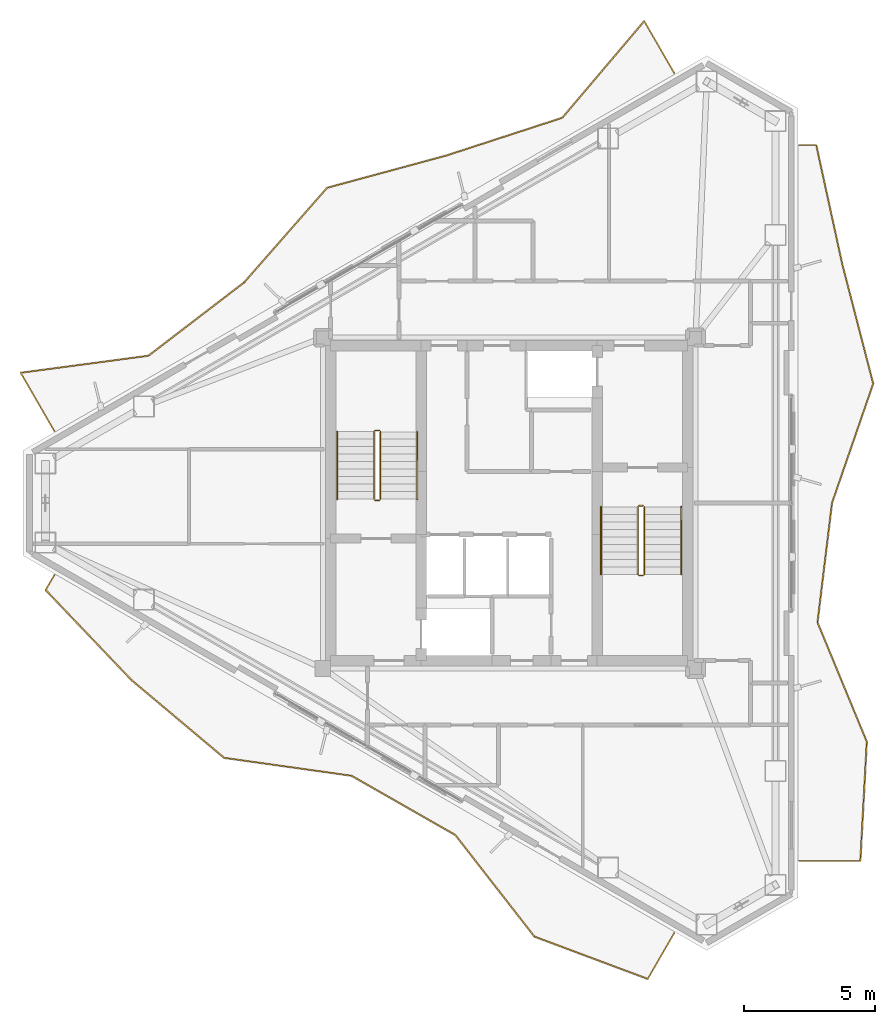
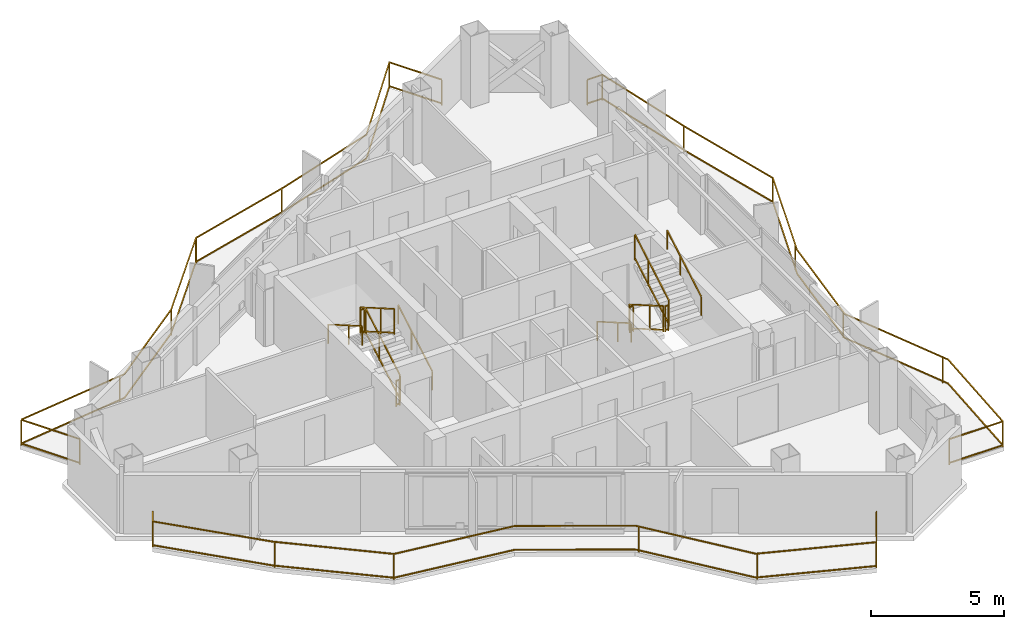
# One storey, part 18 of 18: 15 railings.
"""IFC4 building model written with IfcOpenShell, lengths in metres."""

from ifc_helpers import new_model, si_unit, direction, frame, origin, origin_2d, place, context, subcontext, project, spatial, rectangle, extrude, material, type_object, element, save


model = new_model("IFC4")

# Units and contexts
model_context = context("Model", 3, precision=1e-05, world=origin(), true_north=direction((0.0, 1.0)))
body_context = subcontext(model_context, "Body", "Model", "MODEL_VIEW")
ifc_project = project(units=[si_unit("LENGTHUNIT", "METRE"), si_unit("AREAUNIT", "SQUARE_METRE"), si_unit("VOLUMEUNIT", "CUBIC_METRE"), si_unit("PLANEANGLEUNIT", "RADIAN"), si_unit("MASSUNIT", "GRAM", prefix="KILO")], contexts=[model_context])

# Site, building, storey
site_placement = place(None, origin())
site = spatial("IfcSite", under=ifc_project, at=site_placement, CompositionType="ELEMENT")
building_placement = place(site_placement, origin())
building = spatial("IfcBuilding", under=site, at=building_placement, Name="Mersakhor Tower and Convention Hall", CompositionType="ELEMENT")
storey_placement = place(building_placement, frame((0.0, 0.0, 239.699951171875)))
storey = spatial("IfcBuildingStorey", under=building, at=storey_placement, Name="L67", CompositionType="ELEMENT", Elevation=239.699951171875)

# Railings
ifc_material_1 = material(Name="Powder-coated galvanised steel and laminated glass balustrade", Category="steel")
railing_type_1 = type_object("IfcRailingType", Name="RL-BAL-1200", PredefinedType="BALUSTRADE", material=ifc_material_1)
railing_1_placement = place(storey_placement, frame((35.287841796875, 43.13134765625, 0.0)))
element("IfcRailing", 1, at=railing_1_placement, inside=storey, type_object=railing_type_1, Name="L67 Sinusoidal Balcony Balustrade F1", PredefinedType="BALUSTRADE", context=body_context, shape_type="SweptSolid", body=[
    extrude(rectangle(XDim=0.048095703125, YDim=0.048095703125, at=origin_2d()), frame((0.0, 0.0, 1.17578125), z_axis=(-0.499997459831, 0.866026870347, 0.0), x_axis=(-0.866026870347, -0.499997459831, 0.0)), (0.0, 0.0, 1.0), 2.27978515625),
    extrude(rectangle(XDim=0.048095703125, YDim=0.048095703125, at=origin_2d()), frame((0.0, 0.0, 0.080078125), z_axis=(-0.499997459831, 0.866026870347, 0.0), x_axis=(-0.866026870347, -0.499997459831, 0.0)), (0.0, 0.0, 1.0), 2.27978515625),
    extrude(rectangle(XDim=0.048095703125, YDim=0.048095703125, at=origin_2d()), frame((-1.139892578125, 1.974365234375, 1.17578125), z_axis=(-0.646458850493, -0.762948854524, 0.0), x_axis=(0.762948854524, -0.646458850493, 0.0)), (0.0, 0.0, 1.0), 4.828857421875),
    extrude(rectangle(XDim=0.048095703125, YDim=0.048095703125, at=origin_2d()), frame((-1.139892578125, 1.974365234375, 0.080078125), z_axis=(-0.646458850493, -0.762948854524, 0.0), x_axis=(0.762948854524, -0.646458850493, 0.0)), (0.0, 0.0, 1.0), 4.828857421875),
    extrude(rectangle(XDim=0.048095703125, YDim=0.048095703125, at=origin_2d()), frame((-4.261474609375, -1.709716796875, 1.17578125), z_axis=(-0.9509081144, -0.30947335583, 0.0), x_axis=(0.30947335583, -0.9509081144, 0.0)), (0.0, 0.0, 1.0), 4.646484375),
    extrude(rectangle(XDim=0.048095703125, YDim=0.048095703125, at=origin_2d()), frame((-4.261474609375, -1.709716796875, 0.080078125), z_axis=(-0.9509081144, -0.30947335583, 0.0), x_axis=(0.30947335583, -0.9509081144, 0.0)), (0.0, 0.0, 1.0), 4.646484375),
    extrude(rectangle(XDim=0.048095703125, YDim=0.048095703125, at=origin_2d()), frame((-8.679931640625, -3.147705078125, 1.17578125), z_axis=(-0.965299748762, -0.261144395002, 0.0), x_axis=(0.261144395002, -0.965299748762, 0.0)), (0.0, 0.0, 1.0), 4.702392578125),
    extrude(rectangle(XDim=0.048095703125, YDim=0.048095703125, at=origin_2d()), frame((-8.679931640625, -3.147705078125, 0.080078125), z_axis=(-0.965299748762, -0.261144395002, 0.0), x_axis=(0.261144395002, -0.965299748762, 0.0)), (0.0, 0.0, 1.0), 4.702392578125),
    extrude(rectangle(XDim=0.048095703125, YDim=0.048095703125, at=origin_2d()), frame((-13.21923828125, -4.375732421875, 1.17578125), z_axis=(-0.659332414951, -0.751851558883, 0.0), x_axis=(0.751851558883, -0.659332414951, 0.0)), (0.0, 0.0, 1.0), 4.800048828125),
    extrude(rectangle(XDim=0.048095703125, YDim=0.048095703125, at=origin_2d()), frame((-13.21923828125, -4.375732421875, 0.080078125), z_axis=(-0.659332414951, -0.751851558883, 0.0), x_axis=(0.751851558883, -0.659332414951, 0.0)), (0.0, 0.0, 1.0), 4.800048828125),
    extrude(rectangle(XDim=0.048095703125, YDim=0.048095703125, at=origin_2d()), frame((-16.384033203125, -7.984619140625, 1.17578125), z_axis=(-0.79379061755, -0.60819113401, 0.0), x_axis=(0.60819113401, -0.79379061755, 0.0)), (0.0, 0.0, 1.0), 4.584228515625),
    extrude(rectangle(XDim=0.048095703125, YDim=0.048095703125, at=origin_2d()), frame((-16.384033203125, -7.984619140625, 0.080078125), z_axis=(-0.79379061755, -0.60819113401, 0.0), x_axis=(0.60819113401, -0.79379061755, 0.0)), (0.0, 0.0, 1.0), 4.584228515625),
    extrude(rectangle(XDim=0.048095703125, YDim=0.048095703125, at=origin_2d()), frame((-20.02294921875, -10.772705078125, 1.17578125), z_axis=(-0.991217922945, -0.132238531577, 0.0), x_axis=(0.132238531577, -0.991217922945, 0.0)), (0.0, 0.0, 1.0), 4.91650390625),
    extrude(rectangle(XDim=0.048095703125, YDim=0.048095703125, at=origin_2d()), frame((-20.02294921875, -10.772705078125, 0.080078125), z_axis=(-0.991217922945, -0.132238531577, 0.0), x_axis=(0.132238531577, -0.991217922945, 0.0)), (0.0, 0.0, 1.0), 4.91650390625),
    extrude(rectangle(XDim=0.048095703125, YDim=0.048095703125, at=origin_2d()), frame((-24.896240234375, -11.4228515625, 1.17578125), z_axis=(0.500022914263, -0.866012173824, 0.0), x_axis=(0.866012173824, 0.500022914263, 0.0)), (0.0, 0.0, 1.0), 2.5556640625),
    extrude(rectangle(XDim=0.048095703125, YDim=0.048095703125, at=origin_2d()), frame((-24.896240234375, -11.4228515625, 0.080078125), z_axis=(0.500022914263, -0.866012173824, 0.0), x_axis=(0.866012173824, 0.500022914263, 0.0)), (0.0, 0.0, 1.0), 2.5556640625),
    extrude(rectangle(XDim=0.0419921875, YDim=0.0419921875, at=origin_2d()), origin(), (0.0, 0.0, 1.0), 1.15185546875),
    extrude(rectangle(XDim=0.0419921875, YDim=0.0419921875, at=origin_2d()), frame((-1.139892578125, 1.974365234375, 0.0)), (0.0, 0.0, 1.0), 1.15185546875),
    extrude(rectangle(XDim=0.0419921875, YDim=0.0419921875, at=origin_2d()), frame((-8.80029296875, -3.18017578125, 0.0)), (0.0, 0.0, 1.0), 1.15185546875),
    extrude(rectangle(XDim=0.0419921875, YDim=0.0419921875, at=origin_2d()), frame((-13.21923828125, -4.375732421875, 0.0)), (0.0, 0.0, 1.0), 1.15185546875),
    extrude(rectangle(XDim=0.0419921875, YDim=0.0419921875, at=origin_2d()), frame((-16.384033203125, -7.984619140625, 0.0)), (0.0, 0.0, 1.0), 1.15185546875),
    extrude(rectangle(XDim=0.0419921875, YDim=0.0419921875, at=origin_2d()), frame((-20.23681640625, -10.80126953125, 0.0)), (0.0, 0.0, 1.0), 1.15185546875),
    extrude(rectangle(XDim=0.0419921875, YDim=0.0419921875, at=origin_2d()), frame((-24.896240234375, -11.4228515625, 0.0)), (0.0, 0.0, 1.0), 1.15185546875),
    extrude(rectangle(XDim=0.0419921875, YDim=0.0419921875, at=origin_2d()), frame((-23.618408203125, -13.635986328125, 0.0)), (0.0, 0.0, 1.0), 1.15185546875),
])
railing_2_placement = place(storey_placement, frame((40.042724609375, 13.114013671875, 0.0)))
element("IfcRailing", 2, at=railing_2_placement, inside=storey, type_object=railing_type_1, Name="L67 Sinusoidal Balcony Balustrade F2", PredefinedType="BALUSTRADE", context=body_context, shape_type="SweptSolid", body=[
    extrude(rectangle(XDim=0.048095703125, YDim=0.048095703125, at=origin_2d()), frame((0.0, 0.0, 1.17578125), z_axis=(1.0, 0.0, 0.0), x_axis=(0.0, 1.0, 0.0)), (0.0, 0.0, 1.0), 2.330078125),
    extrude(rectangle(XDim=0.048095703125, YDim=0.048095703125, at=origin_2d()), frame((0.0, 0.0, 0.080078125), z_axis=(1.0, 0.0, 0.0), x_axis=(0.0, 1.0, 0.0)), (0.0, 0.0, 1.0), 2.330078125),
    extrude(rectangle(XDim=0.048095703125, YDim=0.048095703125, at=origin_2d()), frame((2.330078125, 0.0, 1.17578125), z_axis=(0.053957913195, 0.998543210684, 0.0), x_axis=(-0.998543210684, 0.053957913195, 0.0)), (0.0, 0.0, 1.0), 4.5517578125),
    extrude(rectangle(XDim=0.048095703125, YDim=0.048095703125, at=origin_2d()), frame((2.330078125, 0.0, 0.080078125), z_axis=(0.053957913195, 0.998543210684, 0.0), x_axis=(-0.998543210684, 0.053957913195, 0.0)), (0.0, 0.0, 1.0), 4.5517578125),
    extrude(rectangle(XDim=0.048095703125, YDim=0.048095703125, at=origin_2d()), frame((2.57568359375, 4.545166015625, 1.17578125), z_axis=(-0.381843122679, 0.924227152632, 0.0), x_axis=(-0.924227152632, -0.381843122679, 0.0)), (0.0, 0.0, 1.0), 4.91796875),
    extrude(rectangle(XDim=0.048095703125, YDim=0.048095703125, at=origin_2d()), frame((2.57568359375, 4.545166015625, 0.080078125), z_axis=(-0.381843122679, 0.924227152632, 0.0), x_axis=(-0.924227152632, -0.381843122679, 0.0)), (0.0, 0.0, 1.0), 4.91796875),
    extrude(rectangle(XDim=0.048095703125, YDim=0.048095703125, at=origin_2d()), frame((0.69775390625, 9.090576171875, 1.17578125), z_axis=(0.120713516098, 0.992687386356, 0.0), x_axis=(-0.992687386356, 0.120713516098, 0.0)), (0.0, 0.0, 1.0), 4.578857421875),
    extrude(rectangle(XDim=0.048095703125, YDim=0.048095703125, at=origin_2d()), frame((0.69775390625, 9.090576171875, 0.080078125), z_axis=(0.120713516098, 0.992687386356, 0.0), x_axis=(-0.992687386356, 0.120713516098, 0.0)), (0.0, 0.0, 1.0), 4.578857421875),
    extrude(rectangle(XDim=0.048095703125, YDim=0.048095703125, at=origin_2d()), frame((1.25048828125, 13.635986328125, 1.17578125), z_axis=(0.326399023353, 0.945232076029, 0.0), x_axis=(-0.945232076029, 0.326399023353, 0.0)), (0.0, 0.0, 1.0), 4.808837890625),
    extrude(rectangle(XDim=0.048095703125, YDim=0.048095703125, at=origin_2d()), frame((1.25048828125, 13.635986328125, 0.080078125), z_axis=(0.326399023353, 0.945232076029, 0.0), x_axis=(-0.945232076029, 0.326399023353, 0.0)), (0.0, 0.0, 1.0), 4.808837890625),
    extrude(rectangle(XDim=0.048095703125, YDim=0.048095703125, at=origin_2d()), frame((2.820068359375, 18.181396484375, 1.17578125), z_axis=(-0.25077268573, 0.96804600102, 0.0), x_axis=(-0.96804600102, -0.25077268573, 0.0)), (0.0, 0.0, 1.0), 4.695556640625),
    extrude(rectangle(XDim=0.048095703125, YDim=0.048095703125, at=origin_2d()), frame((2.820068359375, 18.181396484375, 0.080078125), z_axis=(-0.25077268573, 0.96804600102, 0.0), x_axis=(-0.96804600102, -0.25077268573, 0.0)), (0.0, 0.0, 1.0), 4.695556640625),
    extrude(rectangle(XDim=0.048095703125, YDim=0.048095703125, at=origin_2d()), frame((1.642578125, 22.726806640625, 1.17578125), z_axis=(-0.213322817224, 0.976981768331, 0.0), x_axis=(-0.976981768331, -0.213322817224, 0.0)), (0.0, 0.0, 1.0), 4.65234375),
    extrude(rectangle(XDim=0.048095703125, YDim=0.048095703125, at=origin_2d()), frame((1.642578125, 22.726806640625, 0.080078125), z_axis=(-0.213322817224, 0.976981768331, 0.0), x_axis=(-0.976981768331, -0.213322817224, 0.0)), (0.0, 0.0, 1.0), 4.65234375),
    extrude(rectangle(XDim=0.048095703125, YDim=0.048095703125, at=origin_2d()), frame((0.650146484375, 27.27197265625, 1.17578125), z_axis=(-1.0, 0.0, 0.0), x_axis=(0.0, -1.0, 0.0)), (0.0, 0.0, 1.0), 0.650146484375),
    extrude(rectangle(XDim=0.048095703125, YDim=0.048095703125, at=origin_2d()), frame((0.650146484375, 27.27197265625, 0.080078125), z_axis=(-1.0, 0.0, 0.0), x_axis=(0.0, -1.0, 0.0)), (0.0, 0.0, 1.0), 0.650146484375),
    extrude(rectangle(XDim=0.0419921875, YDim=0.0419921875, at=origin_2d()), origin(), (0.0, 0.0, 1.0), 1.15185546875),
    extrude(rectangle(XDim=0.0419921875, YDim=0.0419921875, at=origin_2d()), frame((2.330078125, 0.0, 0.0)), (0.0, 0.0, 1.0), 1.15185546875),
    extrude(rectangle(XDim=0.0419921875, YDim=0.0419921875, at=origin_2d()), frame((2.48095703125, 4.774658203125, 0.0)), (0.0, 0.0, 1.0), 1.15185546875),
    extrude(rectangle(XDim=0.0419921875, YDim=0.0419921875, at=origin_2d()), frame((0.71337890625, 9.2197265625, 0.0)), (0.0, 0.0, 1.0), 1.15185546875),
    extrude(rectangle(XDim=0.0419921875, YDim=0.0419921875, at=origin_2d()), frame((1.365234375, 13.968017578125, 0.0)), (0.0, 0.0, 1.0), 1.15185546875),
    extrude(rectangle(XDim=0.0419921875, YDim=0.0419921875, at=origin_2d()), frame((2.820068359375, 18.181396484375, 0.0)), (0.0, 0.0, 1.0), 1.15185546875),
    extrude(rectangle(XDim=0.0419921875, YDim=0.0419921875, at=origin_2d()), frame((1.620361328125, 22.828857421875, 0.0)), (0.0, 0.0, 1.0), 1.15185546875),
    extrude(rectangle(XDim=0.0419921875, YDim=0.0419921875, at=origin_2d()), frame((0.650146484375, 27.27197265625, 0.0)), (0.0, 0.0, 1.0), 1.15185546875),
    extrude(rectangle(XDim=0.0419921875, YDim=0.0419921875, at=origin_2d()), frame((0.0, 27.27197265625, 0.0)), (0.0, 0.0, 1.0), 1.15185546875),
])
railing_3_placement = place(storey_placement, frame((11.66943359375, 24.004638671875, 0.0)))
element("IfcRailing", 3, at=railing_3_placement, inside=storey, type_object=railing_type_1, Name="L67 Sinusoidal Balcony Balustrade F3", PredefinedType="BALUSTRADE", context=body_context, shape_type="SweptSolid", body=[
    extrude(rectangle(XDim=0.048095703125, YDim=0.048095703125, at=origin_2d()), frame((0.0, 0.0, 1.17578125), z_axis=(-0.500058503878, -0.86599162392, 0.0), x_axis=(0.86599162392, -0.500058503878, 0.0)), (0.0, 0.0, 1.0), 0.64990234375),
    extrude(rectangle(XDim=0.048095703125, YDim=0.048095703125, at=origin_2d()), frame((0.0, 0.0, 0.080078125), z_axis=(-0.500058503878, -0.86599162392, 0.0), x_axis=(0.86599162392, -0.500058503878, 0.0)), (0.0, 0.0, 1.0), 0.64990234375),
    extrude(rectangle(XDim=0.048095703125, YDim=0.048095703125, at=origin_2d()), frame((-0.324951171875, -0.562744140625, 1.17578125), z_axis=(0.689922777872, -0.723882974363, 0.0), x_axis=(0.723882974363, 0.689922777872, 0.0)), (0.0, 0.0, 1.0), 4.737548828125),
    extrude(rectangle(XDim=0.048095703125, YDim=0.048095703125, at=origin_2d()), frame((-0.324951171875, -0.562744140625, 0.080078125), z_axis=(0.689922777872, -0.723882974363, 0.0), x_axis=(0.723882974363, 0.689922777872, 0.0)), (0.0, 0.0, 1.0), 4.737548828125),
    extrude(rectangle(XDim=0.048095703125, YDim=0.048095703125, at=origin_2d()), frame((2.943603515625, -3.9921875, 1.17578125), z_axis=(0.765892389455, -0.642968776672, 0.0), x_axis=(0.642968776672, 0.765892389455, 0.0)), (0.0, 0.0, 1.0), 4.61572265625),
    extrude(rectangle(XDim=0.048095703125, YDim=0.048095703125, at=origin_2d()), frame((2.943603515625, -3.9921875, 0.080078125), z_axis=(0.765892389455, -0.642968776672, 0.0), x_axis=(0.642968776672, 0.765892389455, 0.0)), (0.0, 0.0, 1.0), 4.61572265625),
    extrude(rectangle(XDim=0.048095703125, YDim=0.048095703125, at=origin_2d()), frame((6.478759765625, -6.9599609375, 1.17578125), z_axis=(0.990264732426, -0.139196838017, 0.0), x_axis=(0.139196838017, 0.990264732426, 0.0)), (0.0, 0.0, 1.0), 4.902099609375),
    extrude(rectangle(XDim=0.048095703125, YDim=0.048095703125, at=origin_2d()), frame((6.478759765625, -6.9599609375, 0.080078125), z_axis=(0.990264732426, -0.139196838017, 0.0), x_axis=(0.139196838017, 0.990264732426, 0.0)), (0.0, 0.0, 1.0), 4.902099609375),
    extrude(rectangle(XDim=0.048095703125, YDim=0.048095703125, at=origin_2d()), frame((11.333251953125, -7.642333984375, 1.17578125), z_axis=(0.868461209508, -0.495757125596, 0.0), x_axis=(0.495757125596, 0.868461209508, 0.0)), (0.0, 0.0, 1.0), 4.54541015625),
    extrude(rectangle(XDim=0.048095703125, YDim=0.048095703125, at=origin_2d()), frame((11.333251953125, -7.642333984375, 0.080078125), z_axis=(0.868461209508, -0.495757125596, 0.0), x_axis=(0.495757125596, 0.868461209508, 0.0)), (0.0, 0.0, 1.0), 4.54541015625),
    extrude(rectangle(XDim=0.048095703125, YDim=0.048095703125, at=origin_2d()), frame((15.28076171875, -9.895751953125, 1.17578125), z_axis=(0.614243749135, -0.789116351781, 0.0), x_axis=(0.789116351781, 0.614243749135, 0.0)), (0.0, 0.0, 1.0), 4.906005859375),
    extrude(rectangle(XDim=0.048095703125, YDim=0.048095703125, at=origin_2d()), frame((15.28076171875, -9.895751953125, 0.080078125), z_axis=(0.614243749135, -0.789116351781, 0.0), x_axis=(0.789116351781, 0.614243749135, 0.0)), (0.0, 0.0, 1.0), 4.906005859375),
    extrude(rectangle(XDim=0.048095703125, YDim=0.048095703125, at=origin_2d()), frame((18.294189453125, -13.76708984375, 1.17578125), z_axis=(0.936796379301, -0.349875040163, 0.0), x_axis=(0.349875040163, 0.936796379301, 0.0)), (0.0, 0.0, 1.0), 4.60888671875),
    extrude(rectangle(XDim=0.048095703125, YDim=0.048095703125, at=origin_2d()), frame((18.294189453125, -13.76708984375, 0.080078125), z_axis=(0.936796379301, -0.349875040163, 0.0), x_axis=(0.349875040163, 0.936796379301, 0.0)), (0.0, 0.0, 1.0), 4.60888671875),
    extrude(rectangle(XDim=0.048095703125, YDim=0.048095703125, at=origin_2d()), frame((22.61181640625, -15.379638671875, 1.17578125), z_axis=(0.499960381356, 0.866048276411, 0.0), x_axis=(-0.866048276411, 0.499960381356, 0.0)), (0.0, 0.0, 1.0), 2.013427734375),
    extrude(rectangle(XDim=0.048095703125, YDim=0.048095703125, at=origin_2d()), frame((22.61181640625, -15.379638671875, 0.080078125), z_axis=(0.499960381356, 0.866048276411, 0.0), x_axis=(-0.866048276411, 0.499960381356, 0.0)), (0.0, 0.0, 1.0), 2.013427734375),
    extrude(rectangle(XDim=0.0419921875, YDim=0.0419921875, at=origin_2d()), origin(), (0.0, 0.0, 1.0), 1.15185546875),
    extrude(rectangle(XDim=0.0419921875, YDim=0.0419921875, at=origin_2d()), frame((-0.324951171875, -0.562744140625, 0.0)), (0.0, 0.0, 1.0), 1.15185546875),
    extrude(rectangle(XDim=0.0419921875, YDim=0.0419921875, at=origin_2d()), frame((2.991455078125, -4.0322265625, 0.0)), (0.0, 0.0, 1.0), 1.15185546875),
    extrude(rectangle(XDim=0.0419921875, YDim=0.0419921875, at=origin_2d()), frame((6.478759765625, -6.9599609375, 0.0)), (0.0, 0.0, 1.0), 1.15185546875),
    extrude(rectangle(XDim=0.0419921875, YDim=0.0419921875, at=origin_2d()), frame((15.374267578125, -10.01611328125, 0.0)), (0.0, 0.0, 1.0), 1.15185546875),
    extrude(rectangle(XDim=0.0419921875, YDim=0.0419921875, at=origin_2d()), frame((18.337646484375, -13.783447265625, 0.0)), (0.0, 0.0, 1.0), 1.15185546875),
    extrude(rectangle(XDim=0.0419921875, YDim=0.0419921875, at=origin_2d()), frame((22.61181640625, -15.379638671875, 0.0)), (0.0, 0.0, 1.0), 1.15185546875),
    extrude(rectangle(XDim=0.0419921875, YDim=0.0419921875, at=origin_2d()), frame((23.618408203125, -13.635986328125, 0.0)), (0.0, 0.0, 1.0), 1.15185546875),
])
ifc_material_2 = material(Name="Brushed stainless steel handrail", Category="steel")
railing_type_2 = type_object("IfcRailingType", Name="RL-HR-900", PredefinedType="HANDRAIL", material=ifc_material_2)
railing_4_placement = place(storey_placement, frame((25.5, 26.89990234375, 0.1650390625)))
element("IfcRailing", 4, at=railing_4_placement, inside=storey, type_object=railing_type_2, Name="L67 ST-1 stair handrail 1", PredefinedType="HANDRAIL", context=body_context, shape_type="SweptSolid", body=[
    extrude(rectangle(XDim=0.048095703125, YDim=0.048095703125, at=origin_2d()), frame((0.0, 0.0, 0.8759765625), z_axis=(0.0, 0.865426285481, 0.501036270542), x_axis=(-1.0, 0.0, 0.0)), (0.0, 0.0, 1.0), 2.964111328125),
    extrude(rectangle(XDim=0.0419921875, YDim=0.0419921875, at=origin_2d()), origin(), (0.0, 0.0, 1.0), 0.851806640625),
    extrude(rectangle(XDim=0.0419921875, YDim=0.0419921875, at=origin_2d()), frame((0.0, 1.557861328125, 0.90185546875)), (0.0, 0.0, 1.0), 0.851806640625),
    extrude(rectangle(XDim=0.0419921875, YDim=0.0419921875, at=origin_2d()), frame((0.0, 2.565185546875, 1.485107421875)), (0.0, 0.0, 1.0), 0.851806640625),
])
for number, where, name in (
    (5, (22.449951171875, 29.465087890625, 1.81494140625), "L67 ST-1 stair handrail 2"),
    (6, (32.5, 26.60009765625, 0.1650390625), "L67 ST-2 stair handrail 1"),
):
    element("IfcRailing", number, at=place(storey_placement, frame(where)), inside=storey, type_object=railing_type_2, Name=name, PredefinedType="HANDRAIL", context=body_context, shape_type="SweptSolid", body=[
        extrude(rectangle(XDim=0.048095703125, YDim=0.048095703125, at=origin_2d()), frame((0.0, 0.0, 0.8759765625), z_axis=(0.0, -0.865426285481, 0.501036270542), x_axis=(1.0, 0.0, 0.0)), (0.0, 0.0, 1.0), 2.964111328125),
        extrude(rectangle(XDim=0.0419921875, YDim=0.0419921875, at=origin_2d()), origin(), (0.0, 0.0, 1.0), 0.851806640625),
        extrude(rectangle(XDim=0.0419921875, YDim=0.0419921875, at=origin_2d()), frame((0.0, -1.557861328125, 0.90185546875)), (0.0, 0.0, 1.0), 0.851806640625),
        extrude(rectangle(XDim=0.0419921875, YDim=0.0419921875, at=origin_2d()), frame((0.0, -2.565185546875, 1.485107421875)), (0.0, 0.0, 1.0), 0.851806640625),
    ])
railing_5_placement = place(storey_placement, frame((35.550048828125, 24.034912109375, 1.81494140625)))
element("IfcRailing", 7, at=railing_5_placement, inside=storey, type_object=railing_type_2, Name="L67 ST-2 stair handrail 2", PredefinedType="HANDRAIL", context=body_context, shape_type="SweptSolid", body=[
    extrude(rectangle(XDim=0.048095703125, YDim=0.048095703125, at=origin_2d()), frame((0.0, 0.0, 0.8759765625), z_axis=(0.0, 0.865426285481, 0.501036270542), x_axis=(-1.0, 0.0, 0.0)), (0.0, 0.0, 1.0), 2.964111328125),
    extrude(rectangle(XDim=0.0419921875, YDim=0.0419921875, at=origin_2d()), origin(), (0.0, 0.0, 1.0), 0.851806640625),
    extrude(rectangle(XDim=0.0419921875, YDim=0.0419921875, at=origin_2d()), frame((0.0, 1.557861328125, 0.90185546875)), (0.0, 0.0, 1.0), 0.851806640625),
    extrude(rectangle(XDim=0.0419921875, YDim=0.0419921875, at=origin_2d()), frame((0.0, 2.565185546875, 1.485107421875)), (0.0, 0.0, 1.0), 0.851806640625),
])
ifc_material_3 = material(Name="Painted steel stair balustrade S355", Category="steel")
railing_type_3 = type_object("IfcRailingType", Name="RL-STG-1200", PredefinedType="BALUSTRADE", material=ifc_material_3)
railing_6_placement = place(storey_placement, frame((24.10009765625, 26.89990234375, 0.1650390625)))
element("IfcRailing", 8, at=railing_6_placement, inside=storey, type_object=railing_type_3, Name="L67 ST-1 stair guard 1", PredefinedType="BALUSTRADE", context=body_context, shape_type="SweptSolid", body=[
    extrude(rectangle(XDim=0.048095703125, YDim=0.048095703125, at=origin_2d()), frame((0.0, 0.0, 1.17578125), z_axis=(0.0, 0.865426285481, 0.501036270542), x_axis=(-1.0, 0.0, 0.0)), (0.0, 0.0, 1.0), 2.964111328125),
    extrude(rectangle(XDim=0.048095703125, YDim=0.048095703125, at=origin_2d()), frame((0.0, 0.0, 0.080078125), z_axis=(0.0, 0.865426285481, 0.501036270542), x_axis=(-1.0, 0.0, 0.0)), (0.0, 0.0, 1.0), 2.964111328125),
    extrude(rectangle(XDim=0.0419921875, YDim=0.0419921875, at=origin_2d()), origin(), (0.0, 0.0, 1.0), 1.15185546875),
    extrude(rectangle(XDim=0.0419921875, YDim=0.0419921875, at=origin_2d()), frame((0.0, 1.557861328125, 0.90185546875)), (0.0, 0.0, 1.0), 1.15185546875),
    extrude(rectangle(XDim=0.0419921875, YDim=0.0419921875, at=origin_2d()), frame((0.0, 2.565185546875, 1.485107421875)), (0.0, 0.0, 1.0), 1.15185546875),
])
railing_7_placement = place(storey_placement, frame((24.050048828125, 29.514892578125, 1.650146484375)))
element("IfcRailing", 9, at=railing_7_placement, inside=storey, type_object=railing_type_3, Name="L67 ST-1 stair guard 2", PredefinedType="BALUSTRADE", context=body_context, shape_type="SweptSolid", body=[
    extrude(rectangle(XDim=0.048095703125, YDim=0.048095703125, at=origin_2d()), frame((0.0, 0.0, 1.17578125), z_axis=(-1.0, 0.0, 0.0), x_axis=(0.0, -1.0, 0.0)), (0.0, 0.0, 1.0), 0.150146484375),
    extrude(rectangle(XDim=0.048095703125, YDim=0.048095703125, at=origin_2d()), frame((0.0, 0.0, 0.080078125), z_axis=(-1.0, 0.0, 0.0), x_axis=(0.0, -1.0, 0.0)), (0.0, 0.0, 1.0), 0.150146484375),
    extrude(rectangle(XDim=0.0419921875, YDim=0.0419921875, at=origin_2d()), origin(), (0.0, 0.0, 1.0), 1.15185546875),
    extrude(rectangle(XDim=0.0419921875, YDim=0.0419921875, at=origin_2d()), frame((-0.150146484375, 0.0, 0.0)), (0.0, 0.0, 1.0), 1.15185546875),
])
railing_8_placement = place(storey_placement, frame((23.85009765625, 29.465087890625, 1.81494140625)))
element("IfcRailing", 10, at=railing_8_placement, inside=storey, type_object=railing_type_3, Name="L67 ST-1 stair guard 3", PredefinedType="BALUSTRADE", context=body_context, shape_type="SweptSolid", body=[
    extrude(rectangle(XDim=0.048095703125, YDim=0.048095703125, at=origin_2d()), frame((0.0, 0.0, 1.17578125), z_axis=(0.0, -0.865426285481, 0.501036270542), x_axis=(1.0, 0.0, 0.0)), (0.0, 0.0, 1.0), 2.964111328125),
    extrude(rectangle(XDim=0.048095703125, YDim=0.048095703125, at=origin_2d()), frame((0.0, 0.0, 0.080078125), z_axis=(0.0, -0.865426285481, 0.501036270542), x_axis=(1.0, 0.0, 0.0)), (0.0, 0.0, 1.0), 2.964111328125),
    extrude(rectangle(XDim=0.0419921875, YDim=0.0419921875, at=origin_2d()), origin(), (0.0, 0.0, 1.0), 1.15185546875),
    extrude(rectangle(XDim=0.0419921875, YDim=0.0419921875, at=origin_2d()), frame((0.0, -1.557861328125, 0.90185546875)), (0.0, 0.0, 1.0), 1.15185546875),
    extrude(rectangle(XDim=0.0419921875, YDim=0.0419921875, at=origin_2d()), frame((0.0, -2.565185546875, 1.485107421875)), (0.0, 0.0, 1.0), 1.15185546875),
])
railing_9_placement = place(storey_placement, frame((24.050048828125, 26.85009765625, 0.0)))
element("IfcRailing", 11, at=railing_9_placement, inside=storey, type_object=railing_type_3, Name="L67 ST-1 stair guard 4", PredefinedType="BALUSTRADE", context=body_context, shape_type="SweptSolid", body=[
    extrude(rectangle(XDim=0.048095703125, YDim=0.048095703125, at=origin_2d()), frame((0.0, 0.0, 1.17578125), z_axis=(-1.0, 0.0, 0.0), x_axis=(0.0, -1.0, 0.0)), (0.0, 0.0, 1.0), 0.150146484375),
    extrude(rectangle(XDim=0.048095703125, YDim=0.048095703125, at=origin_2d()), frame((0.0, 0.0, 0.080078125), z_axis=(-1.0, 0.0, 0.0), x_axis=(0.0, -1.0, 0.0)), (0.0, 0.0, 1.0), 0.150146484375),
    extrude(rectangle(XDim=0.0419921875, YDim=0.0419921875, at=origin_2d()), origin(), (0.0, 0.0, 1.0), 1.15185546875),
    extrude(rectangle(XDim=0.0419921875, YDim=0.0419921875, at=origin_2d()), frame((-0.150146484375, 0.0, 0.0)), (0.0, 0.0, 1.0), 1.15185546875),
])
railing_10_placement = place(storey_placement, frame((33.89990234375, 26.60009765625, 0.1650390625)))
element("IfcRailing", 12, at=railing_10_placement, inside=storey, type_object=railing_type_3, Name="L67 ST-2 stair guard 1", PredefinedType="BALUSTRADE", context=body_context, shape_type="SweptSolid", body=[
    extrude(rectangle(XDim=0.048095703125, YDim=0.048095703125, at=origin_2d()), frame((0.0, 0.0, 1.17578125), z_axis=(0.0, -0.865426285481, 0.501036270542), x_axis=(1.0, 0.0, 0.0)), (0.0, 0.0, 1.0), 2.964111328125),
    extrude(rectangle(XDim=0.048095703125, YDim=0.048095703125, at=origin_2d()), frame((0.0, 0.0, 0.080078125), z_axis=(0.0, -0.865426285481, 0.501036270542), x_axis=(1.0, 0.0, 0.0)), (0.0, 0.0, 1.0), 2.964111328125),
    extrude(rectangle(XDim=0.0419921875, YDim=0.0419921875, at=origin_2d()), origin(), (0.0, 0.0, 1.0), 1.15185546875),
    extrude(rectangle(XDim=0.0419921875, YDim=0.0419921875, at=origin_2d()), frame((0.0, -1.557861328125, 0.90185546875)), (0.0, 0.0, 1.0), 1.15185546875),
    extrude(rectangle(XDim=0.0419921875, YDim=0.0419921875, at=origin_2d()), frame((0.0, -2.565185546875, 1.485107421875)), (0.0, 0.0, 1.0), 1.15185546875),
])
railing_11_placement = place(storey_placement, frame((33.949951171875, 23.985107421875, 1.650146484375)))
element("IfcRailing", 13, at=railing_11_placement, inside=storey, type_object=railing_type_3, Name="L67 ST-2 stair guard 2", PredefinedType="BALUSTRADE", context=body_context, shape_type="SweptSolid", body=[
    extrude(rectangle(XDim=0.048095703125, YDim=0.048095703125, at=origin_2d()), frame((0.0, 0.0, 1.17578125), z_axis=(1.0, 0.0, 0.0), x_axis=(0.0, 1.0, 0.0)), (0.0, 0.0, 1.0), 0.150146484375),
    extrude(rectangle(XDim=0.048095703125, YDim=0.048095703125, at=origin_2d()), frame((0.0, 0.0, 0.080078125), z_axis=(1.0, 0.0, 0.0), x_axis=(0.0, 1.0, 0.0)), (0.0, 0.0, 1.0), 0.150146484375),
    extrude(rectangle(XDim=0.0419921875, YDim=0.0419921875, at=origin_2d()), origin(), (0.0, 0.0, 1.0), 1.15185546875),
    extrude(rectangle(XDim=0.0419921875, YDim=0.0419921875, at=origin_2d()), frame((0.150146484375, 0.0, 0.0)), (0.0, 0.0, 1.0), 1.15185546875),
])
railing_12_placement = place(storey_placement, frame((34.14990234375, 24.034912109375, 1.81494140625)))
element("IfcRailing", 14, at=railing_12_placement, inside=storey, type_object=railing_type_3, Name="L67 ST-2 stair guard 3", PredefinedType="BALUSTRADE", context=body_context, shape_type="SweptSolid", body=[
    extrude(rectangle(XDim=0.048095703125, YDim=0.048095703125, at=origin_2d()), frame((0.0, 0.0, 1.17578125), z_axis=(0.0, 0.865426285481, 0.501036270542), x_axis=(-1.0, 0.0, 0.0)), (0.0, 0.0, 1.0), 2.964111328125),
    extrude(rectangle(XDim=0.048095703125, YDim=0.048095703125, at=origin_2d()), frame((0.0, 0.0, 0.080078125), z_axis=(0.0, 0.865426285481, 0.501036270542), x_axis=(-1.0, 0.0, 0.0)), (0.0, 0.0, 1.0), 2.964111328125),
    extrude(rectangle(XDim=0.0419921875, YDim=0.0419921875, at=origin_2d()), origin(), (0.0, 0.0, 1.0), 1.15185546875),
    extrude(rectangle(XDim=0.0419921875, YDim=0.0419921875, at=origin_2d()), frame((0.0, 1.557861328125, 0.90185546875)), (0.0, 0.0, 1.0), 1.15185546875),
    extrude(rectangle(XDim=0.0419921875, YDim=0.0419921875, at=origin_2d()), frame((0.0, 2.565185546875, 1.485107421875)), (0.0, 0.0, 1.0), 1.15185546875),
])
railing_13_placement = place(storey_placement, frame((33.949951171875, 26.64990234375, 0.0)))
element("IfcRailing", 15, at=railing_13_placement, inside=storey, type_object=railing_type_3, Name="L67 ST-2 stair guard 4", PredefinedType="BALUSTRADE", context=body_context, shape_type="SweptSolid", body=[
    extrude(rectangle(XDim=0.048095703125, YDim=0.048095703125, at=origin_2d()), frame((0.0, 0.0, 1.17578125), z_axis=(1.0, 0.0, 0.0), x_axis=(0.0, 1.0, 0.0)), (0.0, 0.0, 1.0), 0.150146484375),
    extrude(rectangle(XDim=0.048095703125, YDim=0.048095703125, at=origin_2d()), frame((0.0, 0.0, 0.080078125), z_axis=(1.0, 0.0, 0.0), x_axis=(0.0, 1.0, 0.0)), (0.0, 0.0, 1.0), 0.150146484375),
    extrude(rectangle(XDim=0.0419921875, YDim=0.0419921875, at=origin_2d()), origin(), (0.0, 0.0, 1.0), 1.15185546875),
    extrude(rectangle(XDim=0.0419921875, YDim=0.0419921875, at=origin_2d()), frame((0.150146484375, 0.0, 0.0)), (0.0, 0.0, 1.0), 1.15185546875),
])

save(model, "model.ifc")
